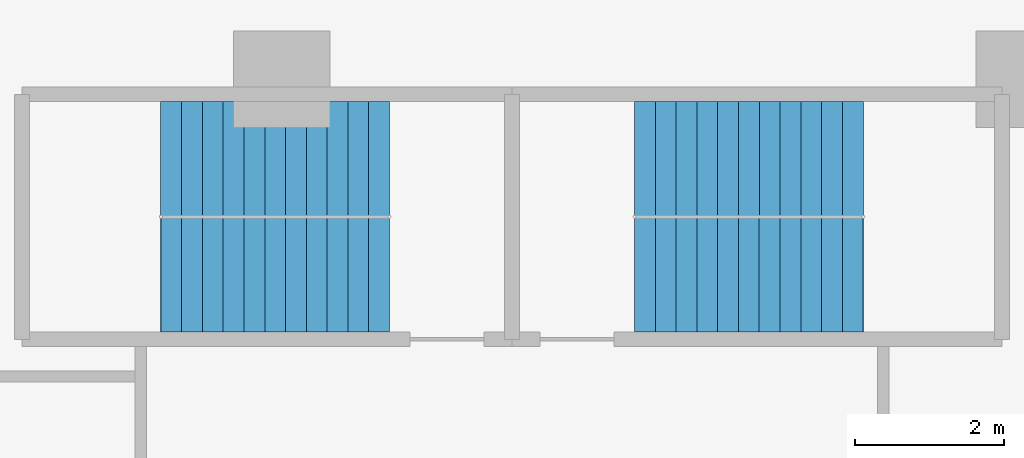
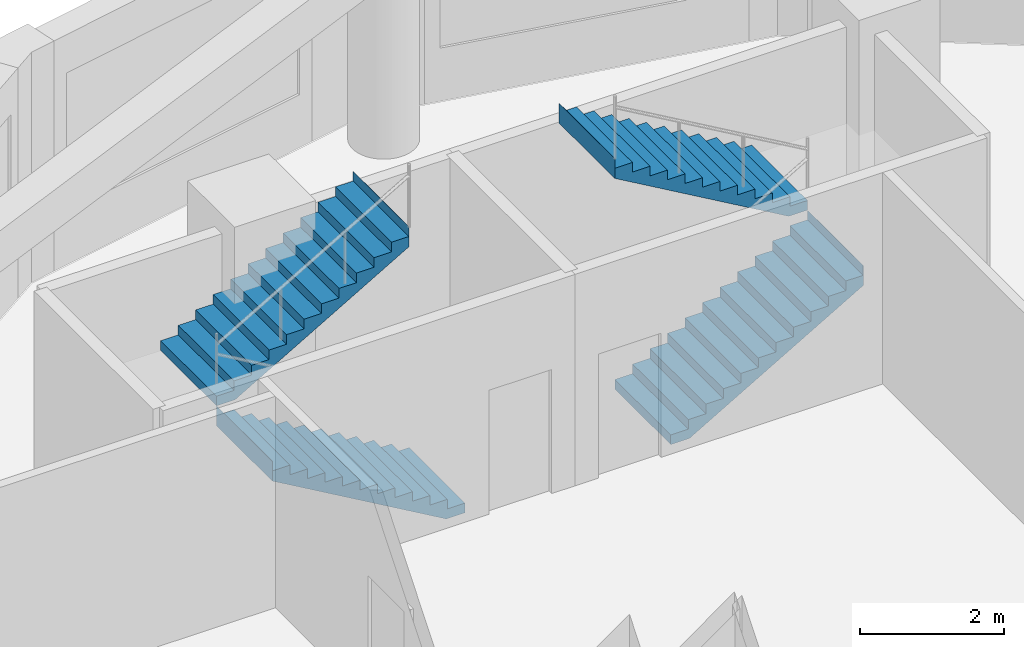
# One storey, part 7 of 9: 4 stair flights, 2 elements without a shape of their own.
"""IFC4 building model written with IfcOpenShell, lengths in metres."""

from ifc_helpers import new_model, si_unit, direction, frame, origin, place, context, subcontext, project, spatial, polyline, outline, extrude, material, type_object, element, aggregate, save


model = new_model("IFC4")

# Units and contexts
model_context = context("Model", 3, precision=1e-05, world=origin(), true_north=direction((0.0, 1.0)))
body_context = subcontext(model_context, "Body", "Model", "MODEL_VIEW")
ifc_project = project(units=[si_unit("LENGTHUNIT", "METRE"), si_unit("AREAUNIT", "SQUARE_METRE"), si_unit("VOLUMEUNIT", "CUBIC_METRE"), si_unit("PLANEANGLEUNIT", "RADIAN"), si_unit("MASSUNIT", "GRAM", prefix="KILO")], contexts=[model_context])

# Site, building, storey
site_placement = place(None, origin())
site = spatial("IfcSite", under=ifc_project, at=site_placement, CompositionType="ELEMENT")
building_placement = place(site_placement, origin())
building = spatial("IfcBuilding", under=site, at=building_placement, Name="Qaws Garden Tower", CompositionType="ELEMENT")
storey_placement = place(building_placement, frame((0.0, 0.0, 229.199951171875)))
storey = spatial("IfcBuildingStorey", under=building, at=storey_placement, Name="L56", CompositionType="ELEMENT", Elevation=229.199951171875)

# Stair, stair flights
ifc_material_1 = material(Name="Concrete C40", Category="concrete")
stair_type = type_object("IfcStairType", Name="Exit stair 1350", PredefinedType="HALF_TURN_STAIR", material=ifc_material_1)
placement = place(storey_placement, origin())
stair_1 = element("IfcStair", 1, at=placement, inside=storey, type_object=stair_type, Name="Stair 6", PredefinedType="HALF_TURN_STAIR")
ifc_material_2 = material(Name="Concrete C40", Category="concrete")
stair_flight_type = type_object("IfcStairFlightType", Name="Stair flight 1350", PredefinedType="STRAIGHT", material=ifc_material_2)
stair_flight_1_placement = place(storey_placement, frame((11.449951171875, 67.375, 0.0), z_axis=(0.0, 0.0, 1.0), x_axis=(-1.0, 0.0, 0.0)))
stair_flight_1 = element("IfcStairFlight", 2, at=stair_flight_1_placement, type_object=stair_flight_type, Name="ST6 flight 1", NumberOfRisers=12, NumberOfTreads=11, PredefinedType="STRAIGHT", RiserHeight=0.1625, TreadLength=0.28, context=body_context, shape_type="SweptSolid", body=[
    extrude(outline(polyline([(-0.0029296875, 0.0), (-0.0029296875, 0.16259765625), (0.0, 0.16259765625), (0.280029296875, 0.16259765625), (0.280029296875, 0.324951171875), (0.56005859375, 0.324951171875), (0.56005859375, 0.487548828125), (0.840087890625, 0.487548828125), (0.840087890625, 0.64990234375), (1.1201171875, 0.64990234375), (1.1201171875, 0.8125), (1.39990234375, 0.8125), (1.39990234375, 0.97509765625), (1.679931640625, 0.97509765625), (1.679931640625, 1.137451171875), (1.9599609375, 1.137451171875), (1.9599609375, 1.300048828125), (2.239990234375, 1.300048828125), (2.239990234375, 1.46240234375), (2.52001953125, 1.46240234375), (2.52001953125, 1.625), (2.800048828125, 1.625), (2.800048828125, 1.78759765625), (3.080078125, 1.78759765625), (3.080078125, 1.949951171875), (3.0830078125, 1.949951171875), (3.0830078125, 1.6142578125), (3.080078125, 1.6142578125), (0.298583984375, 0.0), (-0.0029296875, 0.0)])), frame((0.0, 0.77490234375, 0.0), z_axis=(0.0, -1.0, 0.0), x_axis=(1.0, 0.0, 0.0)), (0.0, 0.0, 1.0), 1.550048828125),
])
stair_flight_2_placement = place(storey_placement, frame((8.3701171875, 68.925048828125, 1.949951171875), z_axis=(0.0, 0.0, 1.0), x_axis=(1.0, 0.0, 0.0)))
stair_flight_2 = element("IfcStairFlight", 3, at=stair_flight_2_placement, type_object=stair_flight_type, Name="ST6 flight 2", NumberOfRisers=12, NumberOfTreads=11, PredefinedType="STRAIGHT", RiserHeight=0.1625, TreadLength=0.28, context=body_context, shape_type="SweptSolid", body=[
    extrude(outline(polyline([(-0.0029296875, 0.0), (-0.0029296875, 0.16259765625), (0.0, 0.16259765625), (0.280029296875, 0.16259765625), (0.280029296875, 0.324951171875), (0.56005859375, 0.324951171875), (0.56005859375, 0.487548828125), (0.840087890625, 0.487548828125), (0.840087890625, 0.64990234375), (1.1201171875, 0.64990234375), (1.1201171875, 0.8125), (1.39990234375, 0.8125), (1.39990234375, 0.97509765625), (1.679931640625, 0.97509765625), (1.679931640625, 1.137451171875), (1.9599609375, 1.137451171875), (1.9599609375, 1.300048828125), (2.239990234375, 1.300048828125), (2.239990234375, 1.46240234375), (2.52001953125, 1.46240234375), (2.52001953125, 1.625), (2.800048828125, 1.625), (2.800048828125, 1.78759765625), (3.080078125, 1.78759765625), (3.080078125, 1.949951171875), (3.0830078125, 1.949951171875), (3.0830078125, 1.6142578125), (3.080078125, 1.6142578125), (0.298583984375, 0.0), (-0.0029296875, 0.0)])), frame((0.0, 0.77490234375, 0.0), z_axis=(0.0, -1.0, 0.0), x_axis=(1.0, 0.0, 0.0)), (0.0, 0.0, 1.0), 1.550048828125),
])
aggregate(stair_1, [stair_flight_1, stair_flight_2])

stair_2 = element("IfcStair", 4, at=placement, inside=storey, type_object=stair_type, Name="Stair 7", PredefinedType="HALF_TURN_STAIR")
stair_flight_3_placement = place(storey_placement, frame((14.75, 67.375, 0.0), z_axis=(0.0, 0.0, 1.0), x_axis=(1.0, 0.0, 0.0)))
stair_flight_3 = element("IfcStairFlight", 5, at=stair_flight_3_placement, type_object=stair_flight_type, Name="ST7 flight 1", NumberOfRisers=12, NumberOfTreads=11, PredefinedType="STRAIGHT", RiserHeight=0.1625, TreadLength=0.28, context=body_context, shape_type="SweptSolid", body=[
    extrude(outline(polyline([(-0.0029296875, 0.0), (-0.0029296875, 0.16259765625), (0.0, 0.16259765625), (0.280029296875, 0.16259765625), (0.280029296875, 0.324951171875), (0.56005859375, 0.324951171875), (0.56005859375, 0.487548828125), (0.840087890625, 0.487548828125), (0.840087890625, 0.64990234375), (1.1201171875, 0.64990234375), (1.1201171875, 0.8125), (1.39990234375, 0.8125), (1.39990234375, 0.97509765625), (1.679931640625, 0.97509765625), (1.679931640625, 1.137451171875), (1.9599609375, 1.137451171875), (1.9599609375, 1.300048828125), (2.239990234375, 1.300048828125), (2.239990234375, 1.46240234375), (2.52001953125, 1.46240234375), (2.52001953125, 1.625), (2.800048828125, 1.625), (2.800048828125, 1.78759765625), (3.080078125, 1.78759765625), (3.080078125, 1.949951171875), (3.0830078125, 1.949951171875), (3.0830078125, 1.6142578125), (3.080078125, 1.6142578125), (0.298583984375, 0.0), (-0.0029296875, 0.0)])), frame((0.0, 0.77490234375, 0.0), z_axis=(0.0, -1.0, 0.0), x_axis=(1.0, 0.0, 0.0)), (0.0, 0.0, 1.0), 1.550048828125),
])
stair_flight_4_placement = place(storey_placement, frame((17.830078125, 68.925048828125, 1.949951171875), z_axis=(0.0, 0.0, 1.0), x_axis=(-1.0, 0.0, 0.0)))
stair_flight_4 = element("IfcStairFlight", 6, at=stair_flight_4_placement, type_object=stair_flight_type, Name="ST7 flight 2", NumberOfRisers=12, NumberOfTreads=11, PredefinedType="STRAIGHT", RiserHeight=0.1625, TreadLength=0.28, context=body_context, shape_type="SweptSolid", body=[
    extrude(outline(polyline([(-0.0029296875, 0.0), (-0.0029296875, 0.16259765625), (0.0, 0.16259765625), (0.280029296875, 0.16259765625), (0.280029296875, 0.324951171875), (0.56005859375, 0.324951171875), (0.56005859375, 0.487548828125), (0.840087890625, 0.487548828125), (0.840087890625, 0.64990234375), (1.1201171875, 0.64990234375), (1.1201171875, 0.8125), (1.39990234375, 0.8125), (1.39990234375, 0.97509765625), (1.679931640625, 0.97509765625), (1.679931640625, 1.137451171875), (1.9599609375, 1.137451171875), (1.9599609375, 1.300048828125), (2.239990234375, 1.300048828125), (2.239990234375, 1.46240234375), (2.52001953125, 1.46240234375), (2.52001953125, 1.625), (2.800048828125, 1.625), (2.800048828125, 1.78759765625), (3.080078125, 1.78759765625), (3.080078125, 1.949951171875), (3.0830078125, 1.949951171875), (3.0830078125, 1.6142578125), (3.080078125, 1.6142578125), (0.298583984375, 0.0), (-0.0029296875, 0.0)])), frame((0.0, 0.77490234375, 0.0), z_axis=(0.0, -1.0, 0.0), x_axis=(1.0, 0.0, 0.0)), (0.0, 0.0, 1.0), 1.550048828125),
])
aggregate(stair_2, [stair_flight_3, stair_flight_4])

save(model, "model.ifc")
